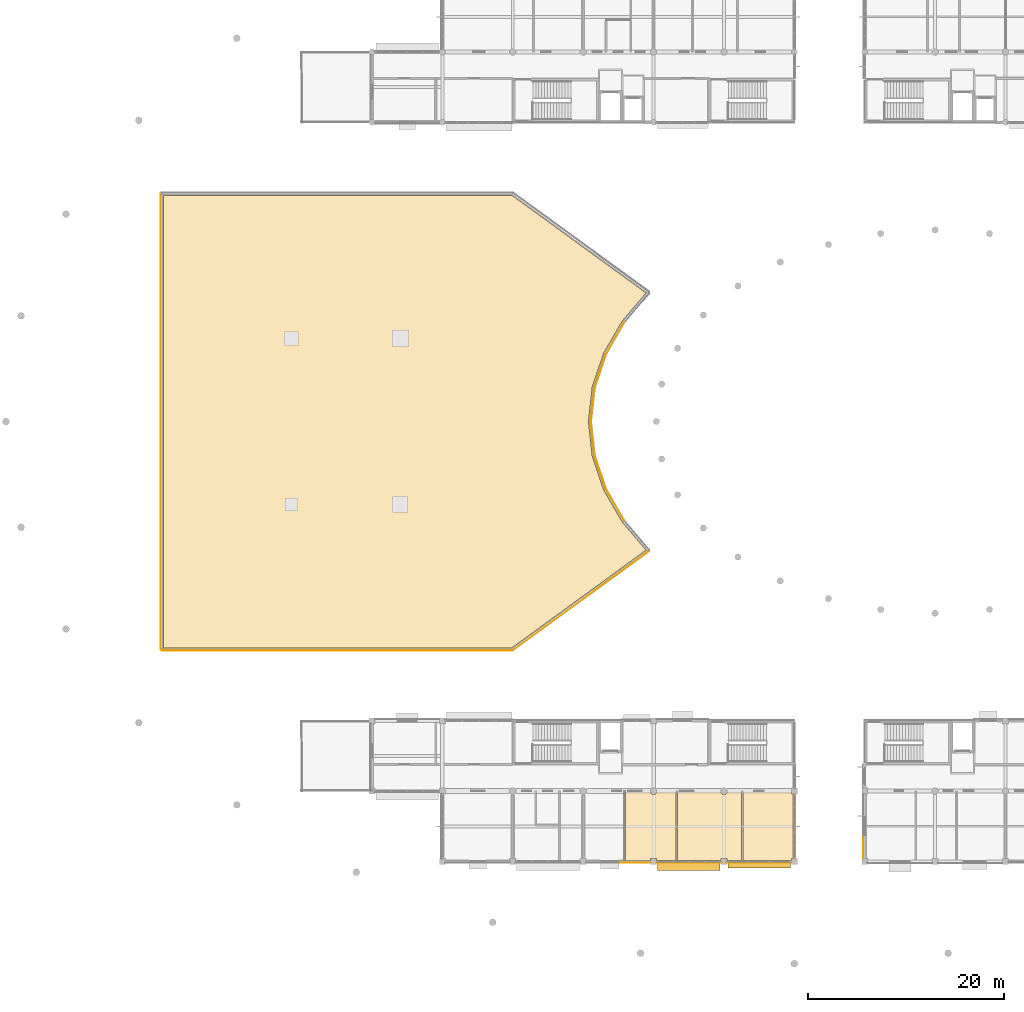
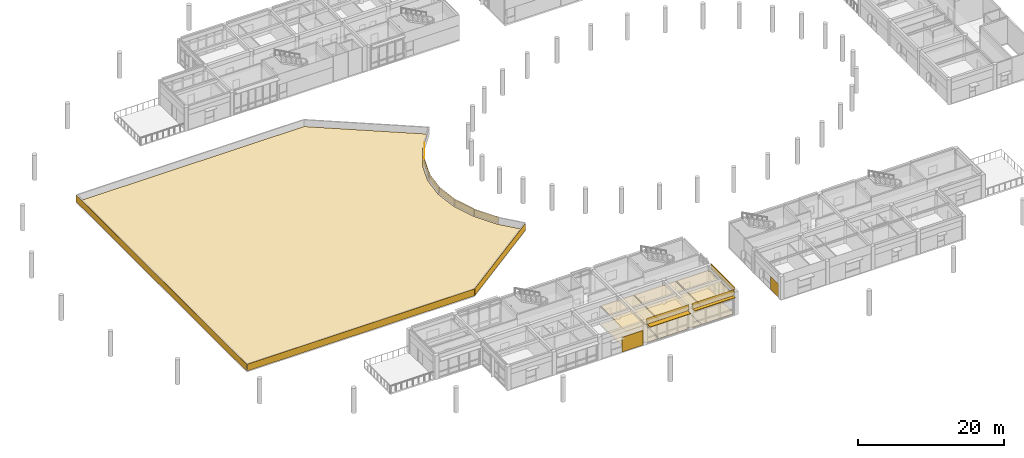
# One storey, part 40 of 55: 21 coverings, 2 shading devices.
"""IFC4 building model written with IfcOpenShell, lengths in metres."""

from ifc_helpers import new_model, si_unit, direction, frame, origin, origin_2d, place, context, subcontext, project, spatial, polyline, rectangle, outline, extrude, material, layer, layer_set, type_object, element, save


model = new_model("IFC4")

# Units and contexts
model_context = context("Model", 3, precision=1e-05, world=origin(), true_north=direction((0.0, 1.0)))
body_context = subcontext(model_context, "Body", "Model", "MODEL_VIEW")
ifc_project = project(units=[si_unit("LENGTHUNIT", "METRE"), si_unit("AREAUNIT", "SQUARE_METRE"), si_unit("VOLUMEUNIT", "CUBIC_METRE"), si_unit("PLANEANGLEUNIT", "RADIAN"), si_unit("MASSUNIT", "GRAM", prefix="KILO")], contexts=[model_context])

# Site, building, storey
site_placement = place(None, origin())
site = spatial("IfcSite", under=ifc_project, at=site_placement, CompositionType="ELEMENT")
building_placement = place(site_placement, origin())
building = spatial("IfcBuilding", under=site, at=building_placement, Name="Namkhue Oval Health Centre", CompositionType="ELEMENT")
storey_placement = place(building_placement, frame((0.0, 0.0, 9.60009765625)))
storey = spatial("IfcBuildingStorey", under=building, at=storey_placement, Name="L02", CompositionType="ELEMENT", Elevation=9.60009765625)

# Coverings
ifc_material_1 = material(Name="Acoustic mineral-fibre cleanroom ceiling", Category="gypsum")
ifc_layer_1 = layer(ifc_material_1, 0.02001953125)
ifc_layer_set_1 = layer_set([ifc_layer_1], Name="Acoustic mineral-fibre cleanroom ceiling")
covering_type_1 = type_object("IfcCoveringType", Name="ACOUSTIC CLEANROOM CEILING 20", PredefinedType="CEILING", material=ifc_layer_set_1)
covering_1_placement = place(storey_placement, frame((0.0, 0.0, 3.0498046875)))
element("IfcCovering", 1, at=covering_1_placement, inside=storey, type_object=covering_type_1, Name="Acoustic Ceiling L02-406 Minor Surgical Procedure Theatre", PredefinedType="CEILING", context=body_context, shape_type="SweptSolid", body=[
    extrude(outline(polyline([(72.31005859375, 14.485107421875), (72.31005859375, 14.7099609375), (71.68994140625, 14.7099609375), (71.68994140625, 14.485107421875), (69.135009765625, 14.485107421875), (69.135009765625, 21.52001953125), (71.675537109375, 21.52001953125), (71.7099609375, 21.4326171875), (71.76318359375, 21.363037109375), (71.83251953125, 21.309814453125), (71.913330078125, 21.2763671875), (72.0, 21.264892578125), (72.086669921875, 21.2763671875), (72.16748046875, 21.309814453125), (72.23681640625, 21.363037109375), (72.2900390625, 21.4326171875), (72.324462890625, 21.52001953125), (74.2939453125, 21.52001953125), (74.2939453125, 14.485107421875), (72.31005859375, 14.485107421875)])), origin(), (0.0, 0.0, 1.0), 0.02001953125),
])
covering_2_placement = place(storey_placement, frame((0.0, 0.0, 3.0498046875)))
element("IfcCovering", 2, at=covering_2_placement, inside=storey, type_object=covering_type_1, Name="Acoustic Ceiling L02-407 Day Surgery Operating Theatre", PredefinedType="CEILING", context=body_context, shape_type="SweptSolid", body=[
    extrude(outline(polyline([(79.510009765625, 14.485107421875), (79.510009765625, 14.7099609375), (78.889892578125, 14.7099609375), (78.889892578125, 14.485107421875), (74.43408203125, 14.485107421875), (74.43408203125, 21.52001953125), (78.87548828125, 21.52001953125), (78.909912109375, 21.4326171875), (78.963134765625, 21.363037109375), (79.032470703125, 21.309814453125), (79.11328125, 21.2763671875), (79.199951171875, 21.264892578125), (79.28662109375, 21.2763671875), (79.367431640625, 21.309814453125), (79.43701171875, 21.363037109375), (79.489990234375, 21.4326171875), (79.5244140625, 21.52001953125), (80.991943359375, 21.52001953125), (80.991943359375, 14.485107421875), (79.510009765625, 14.485107421875)])), origin(), (0.0, 0.0, 1.0), 0.02001953125),
])
covering_3_placement = place(storey_placement, frame((0.0, 0.0, 3.0498046875)))
element("IfcCovering", 3, at=covering_3_placement, inside=storey, type_object=covering_type_1, Name="Acoustic Ceiling L02-408 Post Anaesthesia Recovery Bay", PredefinedType="CEILING", context=body_context, shape_type="SweptSolid", body=[
    extrude(outline(polyline([(81.132080078125, 14.485107421875), (81.132080078125, 21.52001953125), (86.090087890625, 21.52001953125), (86.090087890625, 21.2900390625), (86.2451171875, 21.2900390625), (86.2451171875, 14.7099609375), (86.090087890625, 14.7099609375), (86.090087890625, 14.485107421875), (81.132080078125, 14.485107421875)])), origin(), (0.0, 0.0, 1.0), 0.02001953125),
])
ifc_material_2 = material(Name="Homogeneous anti-bacterial clinical vinyl flooring", Category="plastic")
ifc_layer_2 = layer(ifc_material_2, 0.014892578125)
ifc_layer_set_2 = layer_set([ifc_layer_2], Name="Homogeneous anti-bacterial clinical vinyl flooring")
covering_type_2 = type_object("IfcCoveringType", Name="CLINICAL ANTIBACTERIAL VINYL FLOORING 15", PredefinedType="FLOORING", material=ifc_layer_set_2)
covering_4_placement = place(storey_placement, origin())
element("IfcCovering", 4, at=covering_4_placement, inside=storey, type_object=covering_type_2, Name="Clinical Flooring L02-406 Minor Surgical Procedure Theatre", PredefinedType="FLOORING", context=body_context, shape_type="SweptSolid", body=[
    extrude(outline(polyline([(72.31005859375, 14.485107421875), (72.31005859375, 14.7099609375), (71.68994140625, 14.7099609375), (71.68994140625, 14.485107421875), (69.135009765625, 14.485107421875), (69.135009765625, 21.52001953125), (71.675537109375, 21.52001953125), (71.7099609375, 21.4326171875), (71.76318359375, 21.363037109375), (71.83251953125, 21.309814453125), (71.913330078125, 21.2763671875), (72.0, 21.264892578125), (72.086669921875, 21.2763671875), (72.16748046875, 21.309814453125), (72.23681640625, 21.363037109375), (72.2900390625, 21.4326171875), (72.324462890625, 21.52001953125), (74.2939453125, 21.52001953125), (74.2939453125, 14.485107421875), (72.31005859375, 14.485107421875)])), origin(), (0.0, 0.0, 1.0), 0.014892578125),
])
covering_5_placement = place(storey_placement, origin())
element("IfcCovering", 5, at=covering_5_placement, inside=storey, type_object=covering_type_2, Name="Clinical Flooring L02-407 Day Surgery Operating Theatre", PredefinedType="FLOORING", context=body_context, shape_type="SweptSolid", body=[
    extrude(outline(polyline([(79.510009765625, 14.485107421875), (79.510009765625, 14.7099609375), (78.889892578125, 14.7099609375), (78.889892578125, 14.485107421875), (74.43408203125, 14.485107421875), (74.43408203125, 21.52001953125), (78.87548828125, 21.52001953125), (78.909912109375, 21.4326171875), (78.963134765625, 21.363037109375), (79.032470703125, 21.309814453125), (79.11328125, 21.2763671875), (79.199951171875, 21.264892578125), (79.28662109375, 21.2763671875), (79.367431640625, 21.309814453125), (79.43701171875, 21.363037109375), (79.489990234375, 21.4326171875), (79.5244140625, 21.52001953125), (80.991943359375, 21.52001953125), (80.991943359375, 14.485107421875), (79.510009765625, 14.485107421875)])), origin(), (0.0, 0.0, 1.0), 0.014892578125),
])
covering_6_placement = place(storey_placement, origin())
element("IfcCovering", 6, at=covering_6_placement, inside=storey, type_object=covering_type_2, Name="Clinical Flooring L02-408 Post Anaesthesia Recovery Bay", PredefinedType="FLOORING", context=body_context, shape_type="SweptSolid", body=[
    extrude(outline(polyline([(81.132080078125, 14.485107421875), (81.132080078125, 21.52001953125), (86.090087890625, 21.52001953125), (86.090087890625, 21.2900390625), (86.2451171875, 21.2900390625), (86.2451171875, 14.7099609375), (86.090087890625, 14.7099609375), (86.090087890625, 14.485107421875), (81.132080078125, 14.485107421875)])), origin(), (0.0, 0.0, 1.0), 0.014892578125),
])

# Shading device
ifc_material_3 = material(Name="Anodised aluminium EN AW-6063 T6", Category="aluminium")
ifc_layer_3 = layer(ifc_material_3, 0.06005859375)
ifc_layer_set_3 = layer_set([ifc_layer_3], Name="Anodised aluminium EN AW-6063 T6")
shading_device_type_1 = type_object("IfcShadingDeviceType", Name="MONSOON SUN LOUVRE 900", PredefinedType="JALOUSIE", material=ifc_layer_set_3)
shading_device_1_placement = place(storey_placement, frame((75.60009765625, 13.949951171875, 3.179931640625), z_axis=(0.0, 0.0, 1.0), x_axis=(1.0, 0.0, 0.0)))
element("IfcShadingDevice", 7, at=shading_device_1_placement, inside=storey, type_object=shading_device_type_1, Name="Volume V4 L02 Horizontal Monsoon Sun Louvre 218", PredefinedType="JALOUSIE", context=body_context, shape_type="SweptSolid", body=[
    extrude(rectangle(XDim=6.407958984375, YDim=0.89990234375, at=origin_2d()), origin(), (0.0, 0.0, 1.0), 0.06005859375),
])

# Covering
ifc_material_4 = material(Name="Standing-seam aluminium-zinc insulated roofing", Category="aluminium")
ifc_layer_4 = layer(ifc_material_4, 0.044921875)
ifc_layer_set_4 = layer_set([ifc_layer_4], Name="Standing-seam aluminium-zinc insulated roofing")
covering_type_3 = type_object("IfcCoveringType", Name="STANDING SEAM ROOFING 45", PredefinedType="ROOFING", material=ifc_layer_set_4)
covering_7_placement = place(storey_placement, frame((0.0, 0.0, 0.039794921875)))
element("IfcCovering", 8, at=covering_7_placement, inside=storey, type_object=covering_type_3, Name="Volume V1 L02 Standing Seam Roofing 1", PredefinedType="ROOFING", context=body_context, shape_type="SweptSolid", body=[
    extrude(outline(polyline([(21.860107421875, 36.260009765625), (21.860107421875, 82.5400390625), (57.515380859375, 82.5400390625), (71.238037109375, 72.552001953125), (68.8310546875, 69.728759765625), (68.81689453125, 69.710205078125), (68.80419921875, 69.6904296875), (66.9130859375, 66.430419921875), (66.901123046875, 66.4072265625), (66.8916015625, 66.383056640625), (65.740478515625, 62.97119140625), (65.733154296875, 62.944091796875), (65.728515625, 62.916748046875), (65.341552734375, 59.4287109375), (65.340087890625, 59.39990234375), (65.341552734375, 59.371337890625), (65.728515625, 55.88330078125), (65.733154296875, 55.855712890625), (65.740478515625, 55.828857421875), (66.8916015625, 52.4169921875), (66.901123046875, 52.392578125), (66.9130859375, 52.369384765625), (68.80419921875, 49.109619140625), (68.81689453125, 49.08984375), (68.8310546875, 49.0712890625), (71.238037109375, 46.248046875), (57.515380859375, 36.260009765625), (21.860107421875, 36.260009765625)])), origin(), (0.0, 0.0, 1.0), 0.045166015625),
])

# Shading device
ifc_layer_5 = layer(ifc_material_3, 0.050048828125)
ifc_layer_set_5 = layer_set([ifc_layer_5], Name="Anodised aluminium EN AW-6063 T6")
shading_device_type_2 = type_object("IfcShadingDeviceType", Name="STORM SHUTTER LOUVRE 650", PredefinedType="SHUTTER", material=ifc_layer_set_5)
shading_device_2_placement = place(storey_placement, frame((82.800048828125, 14.074951171875, 3.179931640625), z_axis=(0.0, 0.0, 1.0), x_axis=(1.0, 0.0, 0.0)))
element("IfcShadingDevice", 9, at=shading_device_2_placement, inside=storey, type_object=shading_device_type_2, Name="Volume V4 L02 Horizontal Monsoon Sun Louvre 219", PredefinedType="SHUTTER", context=body_context, shape_type="SweptSolid", body=[
    extrude(rectangle(XDim=6.407958984375, YDim=0.64990234375, at=origin_2d()), origin(), (0.0, 0.0, 1.0), 0.06005859375),
])

# Coverings
ifc_material_5 = material(Name="White glass-fibre reinforced concrete GRC rainscreen cladding", Category="concrete")
ifc_layer_6 = layer(ifc_material_5, 0.02490234375)
ifc_layer_set_6 = layer_set([ifc_layer_6], Name="White glass-fibre reinforced concrete GRC rainscreen cladding")
covering_type_4 = type_object("IfcCoveringType", Name="WHITE GRC RAINSCREEN CLADDING 25", PredefinedType="CLADDING", material=ifc_layer_set_6)
covering_8_placement = place(storey_placement, frame((21.587890625, 59.39990234375, 0.010009765625), z_axis=(0.0, 0.0, 1.0), x_axis=(0.0, 1.0, 0.0)))
element("IfcCovering", 10, at=covering_8_placement, inside=storey, type_object=covering_type_4, Name="Volume V1 L02 Parapet 1 White GRC Cladding 1", PredefinedType="CLADDING", context=body_context, shape_type="SweptSolid", body=[
    extrude(rectangle(XDim=46.574951171875, YDim=0.02490234375, at=origin_2d()), origin(), (0.0, 0.0, 1.0), 1.1298828125),
])
covering_9_placement = place(storey_placement, frame((68.093505859375, 67.923583984375, 0.010009765625), z_axis=(0.0, 0.0, 1.0), x_axis=(-0.501812701416, -0.864976307593, 0.0)))
element("IfcCovering", 11, at=covering_9_placement, inside=storey, type_object=covering_type_4, Name="Volume V1 L02 Parapet 5 White GRC Cladding 1", PredefinedType="CLADDING", context=body_context, shape_type="SweptSolid", body=[
    extrude(rectangle(XDim=3.746337890625, YDim=0.02490234375, at=origin_2d()), origin(), (0.0, 0.0, 1.0), 1.1298828125),
])
covering_10_placement = place(storey_placement, frame((66.57373046875, 64.58984375, 0.010009765625), z_axis=(0.0, 0.0, 1.0), x_axis=(-0.319620898688, -0.947545503457, 0.0)))
element("IfcCovering", 12, at=covering_10_placement, inside=storey, type_object=covering_type_4, Name="Volume V1 L02 Parapet 6 White GRC Cladding 1", PredefinedType="CLADDING", context=body_context, shape_type="SweptSolid", body=[
    extrude(rectangle(XDim=3.580078125, YDim=0.02490234375, at=origin_2d()), origin(), (0.0, 0.0, 1.0), 1.1298828125),
])
for number, where, z_axis, x_axis, name in (
    (13, (65.805419921875, 61.142578125, 0.010009765625), (0.0, 0.0, 1.0), (-0.110254732764, -0.993903362457, 0.0), "Volume V1 L02 Parapet 7 White GRC Cladding 1"),
    (14, (65.805419921875, 57.657470703125, 0.010009765625), (0.0, 0.0, 1.0), (0.110254732764, -0.993903362457, 0.0), "Volume V1 L02 Parapet 8 White GRC Cladding 1"),
):
    element("IfcCovering", number, at=place(storey_placement, frame(where, z_axis=z_axis, x_axis=x_axis)), inside=storey, type_object=covering_type_4, Name=name, PredefinedType="CLADDING", context=body_context, shape_type="SweptSolid", body=[
        extrude(rectangle(XDim=3.489501953125, YDim=0.02490234375, at=origin_2d()), origin(), (0.0, 0.0, 1.0), 1.1298828125),
    ])
covering_11_placement = place(storey_placement, frame((66.57373046875, 54.210205078125, 0.010009765625), z_axis=(0.0, 0.0, 1.0), x_axis=(0.319620898688, -0.947545503457, 0.0)))
element("IfcCovering", 15, at=covering_11_placement, inside=storey, type_object=covering_type_4, Name="Volume V1 L02 Parapet 9 White GRC Cladding 1", PredefinedType="CLADDING", context=body_context, shape_type="SweptSolid", body=[
    extrude(rectangle(XDim=3.580078125, YDim=0.02490234375, at=origin_2d()), origin(), (0.0, 0.0, 1.0), 1.1298828125),
])
covering_12_placement = place(storey_placement, frame((68.093505859375, 50.87646484375, 0.010009765625), z_axis=(0.0, 0.0, 1.0), x_axis=(0.501812701416, -0.864976307593, 0.0)))
element("IfcCovering", 16, at=covering_12_placement, inside=storey, type_object=covering_type_4, Name="Volume V1 L02 Parapet 10 White GRC Cladding 1", PredefinedType="CLADDING", context=body_context, shape_type="SweptSolid", body=[
    extrude(rectangle(XDim=3.746337890625, YDim=0.02490234375, at=origin_2d()), origin(), (0.0, 0.0, 1.0), 1.1298828125),
])
covering_13_placement = place(storey_placement, frame((64.587890625, 41.0712890625, 0.010009765625), z_axis=(0.0, 0.0, 1.0), x_axis=(-0.808503746992, -0.588491028904, 0.0)))
element("IfcCovering", 17, at=covering_13_placement, inside=storey, type_object=covering_type_4, Name="Volume V1 L02 Parapet 12 White GRC Cladding 1", PredefinedType="CLADDING", context=body_context, shape_type="SweptSolid", body=[
    extrude(rectangle(XDim=17.16796875, YDim=0.02490234375, at=origin_2d()), origin(), (0.0, 0.0, 1.0), 1.1298828125),
])
covering_14_placement = place(storey_placement, frame((39.631103515625, 35.988037109375, 0.010009765625), z_axis=(0.0, 0.0, 1.0), x_axis=(-1.0, 0.0, 0.0)))
element("IfcCovering", 18, at=covering_14_placement, inside=storey, type_object=covering_type_4, Name="Volume V1 L02 Parapet 13 White GRC Cladding 1", PredefinedType="CLADDING", context=body_context, shape_type="SweptSolid", body=[
    extrude(rectangle(XDim=35.83740234375, YDim=0.02490234375, at=origin_2d()), origin(), (0.0, 0.0, 1.0), 1.1298828125),
])
covering_15_placement = place(storey_placement, frame((70.011962890625, 14.262939453125, 0.010009765625), z_axis=(0.0, 0.0, 1.0), x_axis=(1.0, 0.0, 0.0)))
element("IfcCovering", 19, at=covering_15_placement, inside=storey, type_object=covering_type_4, Name="Volume V4 L02 Facade 104 White GRC Cladding 4", PredefinedType="CLADDING", context=body_context, shape_type="SweptSolid", body=[
    extrude(rectangle(XDim=3.343994140625, YDim=0.02490234375, at=origin_2d()), origin(), (0.0, 0.0, 1.0), 2.43994140625),
])
for number, where, z_axis, x_axis, name in (
    (20, (75.60009765625, 14.3115234375, 3.23486328125), (0.0, 0.0, 1.0), (1.0, 0.0, 0.0), "Volume V4 L02 Curtain Wall Spandrel Cladding 161"),
    (21, (82.800048828125, 14.3115234375, 3.23486328125), (0.0, 0.0, 1.0), (1.0, 0.0, 0.0), "Volume V4 L02 Curtain Wall Spandrel Cladding 162"),
    (22, (86.488525390625, 18.0, 3.23486328125), (0.0, 0.0, 1.0), (0.0, 1.0, 0.0), "Volume V4 L02 Curtain Wall Spandrel Cladding 163"),
):
    element("IfcCovering", number, at=place(storey_placement, frame(where, z_axis=z_axis, x_axis=x_axis)), inside=storey, type_object=covering_type_4, Name=name, PredefinedType="CLADDING", context=body_context, shape_type="SweptSolid", body=[
        extrude(rectangle(XDim=6.597900390625, YDim=0.02490234375, at=origin_2d()), origin(), (0.0, 0.0, 1.0), 0.965087890625),
    ])
covering_16_placement = place(storey_placement, frame((93.452880859375, 15.887939453125, 0.009765625), z_axis=(0.0, 0.0, 1.0), x_axis=(0.0, -1.0, 0.0)))
element("IfcCovering", 23, at=covering_16_placement, inside=storey, type_object=covering_type_4, Name="Volume V5 L02 Facade 138 White GRC Cladding 4", PredefinedType="CLADDING", context=body_context, shape_type="SweptSolid", body=[
    extrude(rectangle(XDim=2.343994140625, YDim=0.02490234375, at=origin_2d()), origin(), (0.0, 0.0, 1.0), 2.199951171875),
])

save(model, "model.ifc")
